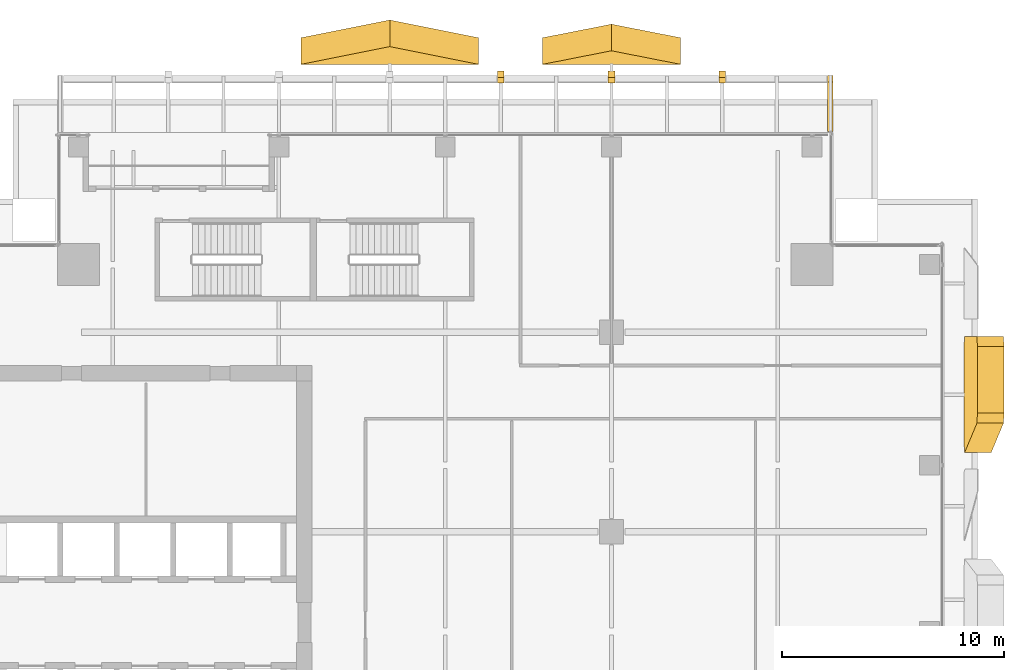
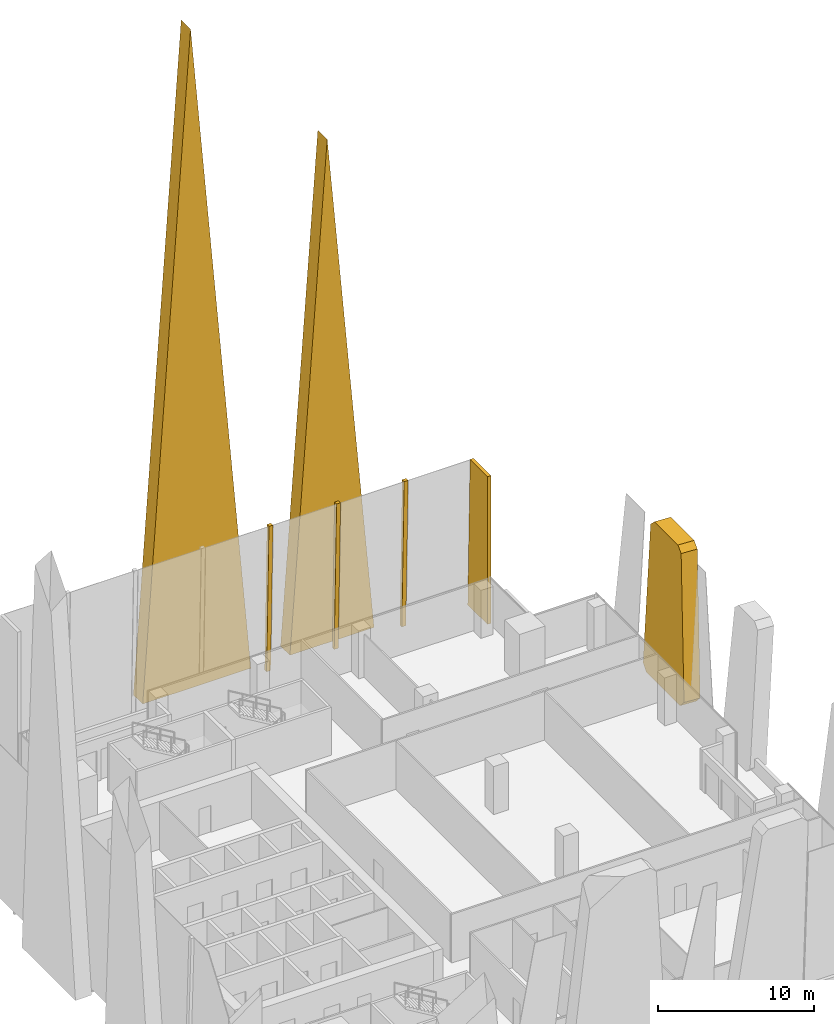
# One storey, part 33 of 33: 7 coverings.
"""IFC4 building model written with IfcOpenShell, lengths in metres."""

import ifcopenshell
import ifcopenshell.guid

model = None  # the IFC model being written
_history = None  # IfcOwnerHistory: only IFC2X3 demands one
_inside = {}  # id of a spatial element -> (the spatial element, [elements in it])
_under = {}  # id of a project, library or spatial element -> (it, [spatial elements below it])
_declared = {}  # id of a project -> (the project, [libraries it declares])
_typed = {}  # id of a type object -> (the type object, [elements of that type])
_made_of = {}  # id of a material, layer set ... -> (it, [elements and type objects made of it])


def new_model(schema):
    """Start an empty IFC model of exactly this schema.

    Asked for "IFC4X3", IfcOpenShell would pick the latest addendum, in which some entities
    have other attributes; the version numbers below select the first issue.
    IFC2X3 requires an IfcOwnerHistory on every rooted entity: one is made here for all.
    """
    global model, _history
    if schema == "IFC4X3":
        model = ifcopenshell.file(schema_version=(4, 3, 0, 0))
    else:
        model = ifcopenshell.file(schema=schema)
    _inside.clear()
    _under.clear()
    _declared.clear()
    _typed.clear()
    _made_of.clear()
    _history = None
    if model.schema == "IFC2X3":
        org = make("IfcOrganization", Name="unknown")
        user = make(
            "IfcPersonAndOrganization",
            ThePerson=make("IfcPerson", FamilyName="unknown"),
            TheOrganization=org,
        )
        app = make(
            "IfcApplication",
            ApplicationDeveloper=org,
            Version="unknown",
            ApplicationFullName="unknown",
            ApplicationIdentifier="unknown",
        )
        _history = make(
            "IfcOwnerHistory",
            OwningUser=user,
            OwningApplication=app,
            ChangeAction="ADDED",
            CreationDate=0,
        )
    return model


def make(cls, **values):
    """One entity of the class cls with the attributes given. An attribute that is None is left unset."""
    return model.create_entity(
        cls, **{name: value for name, value in values.items() if value is not None}
    )


def rooted(cls, **values):
    """An entity with a GlobalId (a new one), such as an element, a storey or a relation."""
    return make(cls, GlobalId=ifcopenshell.guid.new(), OwnerHistory=_history, **values)


def si_unit(unit_type, name, prefix=None):
    """IfcSIUnit, for example si_unit("LENGTHUNIT", "METRE", prefix="MILLI")."""
    return make("IfcSIUnit", UnitType=unit_type, Prefix=prefix, Name=name)


def assignment(units):
    """IfcUnitAssignment: the units of a project."""
    return None if units is None else make("IfcUnitAssignment", Units=units)


def point(xyz):
    """IfcCartesianPoint."""
    return None if xyz is None else make("IfcCartesianPoint", Coordinates=xyz)


def direction(xyz):
    """IfcDirection."""
    return None if xyz is None else make("IfcDirection", DirectionRatios=xyz)


def frame(location, z_axis=None, x_axis=None):
    """IfcAxis2Placement3D, a coordinate frame: its origin and axes. An axis left out is left unset."""
    return make(
        "IfcAxis2Placement3D",
        Location=point(location),
        Axis=direction(z_axis),
        RefDirection=direction(x_axis),
    )


def origin():
    """The frame at (0, 0, 0) with its axes left unset."""
    return frame((0.0, 0.0, 0.0))


def place(relative_to, where):
    """IfcLocalPlacement: puts the frame where relative to a parent placement (None: the world)."""
    return make(
        "IfcLocalPlacement", PlacementRelTo=relative_to, RelativePlacement=where
    )


def context(
    kind, dimensions, precision=None, world=None, true_north=None, identifier=None
):
    """IfcGeometricRepresentationContext, for example the 3D "Model" context."""
    return make(
        "IfcGeometricRepresentationContext",
        ContextIdentifier=identifier,
        ContextType=kind,
        CoordinateSpaceDimension=dimensions,
        Precision=precision,
        WorldCoordinateSystem=world,
        TrueNorth=true_north,
    )


def subcontext(parent, identifier, kind, view, scale=None):
    """IfcGeometricRepresentationSubContext, for example "Body" below "Model"."""
    return make(
        "IfcGeometricRepresentationSubContext",
        ContextIdentifier=identifier,
        ContextType=kind,
        ParentContext=parent,
        TargetScale=scale,
        TargetView=view,
    )


def project(units=None, contexts=None):
    """IfcProject with its units and contexts."""
    return rooted(
        "IfcProject",
        Name="project",
        RepresentationContexts=contexts,
        UnitsInContext=assignment(units),
    )


def spatial(cls, under=None, at=None, **own):
    """A site, building, storey or space (cls), placed at a placement, below another one or the project."""
    s = rooted(cls, ObjectPlacement=at, **own)
    if under is not None:
        _under.setdefault(under.id(), (under, []))[1].append(s)
    return s


def polyline(points):
    """IfcPolyline through the points."""
    return make("IfcPolyline", Points=[point(p) for p in points])


def outline(outer, holes=None, kind="AREA"):
    """IfcArbitraryClosedProfileDef: a profile drawn as a closed curve; with holes, ...WithVoids."""
    if holes is None:
        return make("IfcArbitraryClosedProfileDef", ProfileType=kind, OuterCurve=outer)
    return make(
        "IfcArbitraryProfileDefWithVoids",
        ProfileType=kind,
        OuterCurve=outer,
        InnerCurves=holes,
    )


def extrude(swept, where, along, depth):
    """IfcExtrudedAreaSolid: the profile swept, set in the frame where, extruded along a direction by depth."""
    return make(
        "IfcExtrudedAreaSolid",
        SweptArea=swept,
        Position=where,
        ExtrudedDirection=direction(along),
        Depth=depth,
    )


def shape(context_of_items, identifier, shape_type, items):
    """IfcShapeRepresentation: the items that make up one representation, for example the "Body"."""
    return make(
        "IfcShapeRepresentation",
        ContextOfItems=context_of_items,
        RepresentationIdentifier=identifier,
        RepresentationType=shape_type,
        Items=items,
    )


def material(Name=None, Category=None):
    """IfcMaterial."""
    return make("IfcMaterial", Name=Name, Category=Category)


def layer(
    of_material, thickness, ventilated=None, Name=None, Category=None, Priority=None
):
    """IfcMaterialLayer: one layer of a wall or slab, of a material (None: an air gap)."""
    return make(
        "IfcMaterialLayer",
        Material=of_material,
        LayerThickness=thickness,
        IsVentilated=ventilated,
        Name=Name,
        Category=Category,
        Priority=Priority,
    )


def layer_set(layers, Name=None):
    """IfcMaterialLayerSet."""
    return make("IfcMaterialLayerSet", MaterialLayers=layers, LayerSetName=Name)


def made_of(thing, what):
    """Note that an element or type object is made of a material, layer set ...; save() writes the relation."""
    if what is not None:
        _made_of.setdefault(what.id(), (what, []))[1].append(thing)
    return thing


def type_object(cls, material=None, **own):
    """A type object (cls), such as IfcWallType, which elements share."""
    return made_of(rooted(cls, **own), material)


def element(
    cls,
    number,
    at=None,
    inside=None,
    cuts=None,
    type_object=None,
    material=None,
    context=None,
    identifier="Body",
    shape_type=None,
    held_by="IfcProductDefinitionShape",
    body=None,
    shapes=None,
    **own,
):
    """One element of the class cls, such as IfcWall. Its Tag is "e" and its number.

    at: its placement. inside: the storey or other place that contains it. cuts: it is an
    opening in that element (IfcRelVoidsElement). A single representation is given by context,
    identifier, shape_type and body (its items); several are given by shapes. held_by: the class
    of the entity that holds the representations. save() writes the other relations.
    """
    e = rooted(cls, Tag="e%d" % number, ObjectPlacement=at, **own)
    if body is not None:
        shapes = [shape(context, identifier, shape_type, body)]
    if shapes is not None:
        e.Representation = make(held_by, Representations=shapes)
    if inside is not None:
        _inside.setdefault(inside.id(), (inside, []))[1].append(e)
    if cuts is not None:
        rooted(
            "IfcRelVoidsElement", RelatingBuildingElement=cuts, RelatedOpeningElement=e
        )
    if type_object is not None:
        _typed.setdefault(type_object.id(), (type_object, []))[1].append(e)
    return made_of(e, material)


def aggregate(whole, parts):
    """IfcRelAggregates: a whole, such as a stair, and the parts it consists of."""
    return rooted("IfcRelAggregates", RelatingObject=whole, RelatedObjects=parts)


def save(model, path):
    """Write the relations noted so far, then the file.

    IfcRelAggregates (storeys below a building ...), IfcRelContainedInSpatialStructure (elements
    in a storey), IfcRelDefinesByType, IfcRelAssociatesMaterial and IfcRelDeclares: one each for
    every whole, place, type object, material and project.
    """
    for whole, parts in _under.values():
        aggregate(whole, parts)
    for where, things in _inside.values():
        rooted(
            "IfcRelContainedInSpatialStructure",
            RelatedElements=things,
            RelatingStructure=where,
        )
    for kind, things in _typed.values():
        rooted("IfcRelDefinesByType", RelatedObjects=things, RelatingType=kind)
    for what, things in _made_of.values():
        rooted("IfcRelAssociatesMaterial", RelatedObjects=things, RelatingMaterial=what)
    for by, libraries in _declared.values():
        rooted("IfcRelDeclares", RelatingContext=by, RelatedDefinitions=libraries)
    model.write(path)


model = new_model("IFC4")

# Units and contexts
model_context = context("Model", 3, precision=1e-05, world=origin(), true_north=direction((0.0, 1.0)))
body_context = subcontext(model_context, "Body", "Model", "MODEL_VIEW")
ifc_project = project(units=[si_unit("LENGTHUNIT", "METRE"), si_unit("AREAUNIT", "SQUARE_METRE"), si_unit("VOLUMEUNIT", "CUBIC_METRE"), si_unit("PLANEANGLEUNIT", "RADIAN"), si_unit("MASSUNIT", "GRAM", prefix="KILO")], contexts=[model_context])

# Site, building, storey
site_placement = place(None, origin())
site = spatial("IfcSite", under=ifc_project, at=site_placement, CompositionType="ELEMENT")
building_placement = place(site_placement, origin())
building = spatial("IfcBuilding", under=site, at=building_placement, Name="Khomas Fold Tower", CompositionType="ELEMENT")
storey_placement = place(building_placement, frame((0.0, 0.0, 222.199951171875)))
storey = spatial("IfcBuildingStorey", under=building, at=storey_placement, Name="L49", CompositionType="ELEMENT", Elevation=222.199951171875)

# Coverings
ifc_material_1 = material(Name="Natural stone cladding", Category="masonry")
ifc_layer_1 = layer(ifc_material_1, 0.25)
ifc_layer_set_1 = layer_set([ifc_layer_1], Name="Natural stone cladding")
covering_type_1 = type_object("IfcCoveringType", Name="SK-Karibib marble stone mullion", PredefinedType="CLADDING", material=ifc_layer_set_1)
for number, where, z_axis, x_axis, name in (
    (1, (29.35009765625, 52.289306640625, 0.006591796875), (0.0, 0.999657230839, 0.026180543005), (1.0, 0.0, 0.0), "OUTER SKIN mullion L49 N8"),
    (2, (34.35009765625, 52.289306640625, 0.006591796875), (0.0, 0.999657230839, 0.026180543005), (1.0, 0.0, 0.0), "OUTER SKIN mullion L49 N10"),
    (3, (39.35009765625, 52.289306640625, 0.006591796875), (0.0, 0.999657230839, 0.026180543005), (1.0, 0.0, 0.0), "OUTER SKIN mullion L49 N12"),
):
    element("IfcCovering", number, at=place(storey_placement, frame(where, z_axis=z_axis, x_axis=x_axis)), inside=storey, type_object=covering_type_1, Name=name, PredefinedType="CLADDING", context=body_context, shape_type="SweptSolid", body=[
        extrude(outline(polyline([(0.0, 0.0), (0.2998046875, 0.0), (0.2998046875, -11.554009186164079), (0.0, -11.554009186164079), (0.0, 0.0)])), origin(), (0.0, 0.0, -1.0), 0.25),
    ])
covering_1_placement = place(storey_placement, frame((44.5, 49.550048828125, 0.0), z_axis=(1.0, 0.0, 0.0), x_axis=(0.0, 1.0, 0.0)))
element("IfcCovering", 4, at=covering_1_placement, inside=storey, type_object=covering_type_1, Name="OUTER SKIN return L49 N2", PredefinedType="CLADDING", context=body_context, shape_type="SweptSolid", body=[
    extrude(outline(polyline([(0.0, 0.0), (2.529296875, 0.0), (2.226806640625, 11.550048828125), (0.0, 11.550048828125), (0.0, 0.0)])), origin(), (0.0, 0.0, -1.0), 0.25),
])
ifc_material_2 = material(Name="Natural stone cladding", Category="masonry")
ifc_layer_2 = layer(ifc_material_2, 1.199951171875)
ifc_layer_set_2 = layer_set([ifc_layer_2], Name="Natural stone cladding")
covering_type_2 = type_object("IfcCoveringType", Name="SK-Karibib marble stone panel", PredefinedType="CLADDING", material=ifc_layer_set_2)
covering_2_placement = place(storey_placement, frame((50.426513671875, 35.06787109375, 0.505859375), z_axis=(-0.998628902786, -1.215681e-06, 0.052348013524), x_axis=(0.051944683129, 0.123872970488, 0.99093755458)))
element("IfcCovering", 5, at=covering_2_placement, inside=storey, type_object=covering_type_2, Name="OUTER SKIN leaf L49 ES09-3", PredefinedType="CLADDING", context=body_context, shape_type="SweptSolid", body=[
    extrude(outline(polyline([(0.0, 0.0), (10.74729073720588, 0.0), (11.194395989094488, 0.39418492660924653), (11.566559264199132, 3.3754398630504356), (11.175192403177496, 3.8777394802073037), (0.5925716783050986, 5.198814957310112), (0.0897312408137958, 4.808143203125991), (-0.44734397473824034, 0.5058429905257092), (0.0, 0.0)])), origin(), (0.0, 0.0, -1.0), 1.199951171875),
])
covering_3_placement = place(storey_placement, frame((20.5, 52.582763671875, 0.25), z_axis=(0.0, -0.99987634425, 0.015725654515), x_axis=(1.0, 0.0, 0.0)))
element("IfcCovering", 6, at=covering_3_placement, inside=storey, type_object=covering_type_2, Name="OUTER SKIN blade L49 NZ4-1", PredefinedType="CLADDING", context=body_context, shape_type="SweptSolid", body=[
    extrude(outline(polyline([(0.0, 0.0), (8.0, 0.0), (4.0, 50.90644135857779), (0.0, 0.0)])), origin(), (0.0, 0.0, -1.0), 1.199951171875),
])
covering_4_placement = place(storey_placement, frame((31.387939453125, 52.582763671875, 0.25), z_axis=(0.0, -0.999876340011, 0.015725924047), x_axis=(1.0, 0.0, 0.0)))
element("IfcCovering", 7, at=covering_4_placement, inside=storey, type_object=covering_type_2, Name="OUTER SKIN blade L49 NZ4-2", PredefinedType="CLADDING", context=body_context, shape_type="SweptSolid", body=[
    extrude(outline(polyline([(0.0, 0.0), (6.22412109375, 0.0), (3.112060546875, 38.90495747100605), (0.0, 0.0)])), origin(), (0.0, 0.0, -1.0), 1.199951171875),
])

save(model, "model.ifc")
